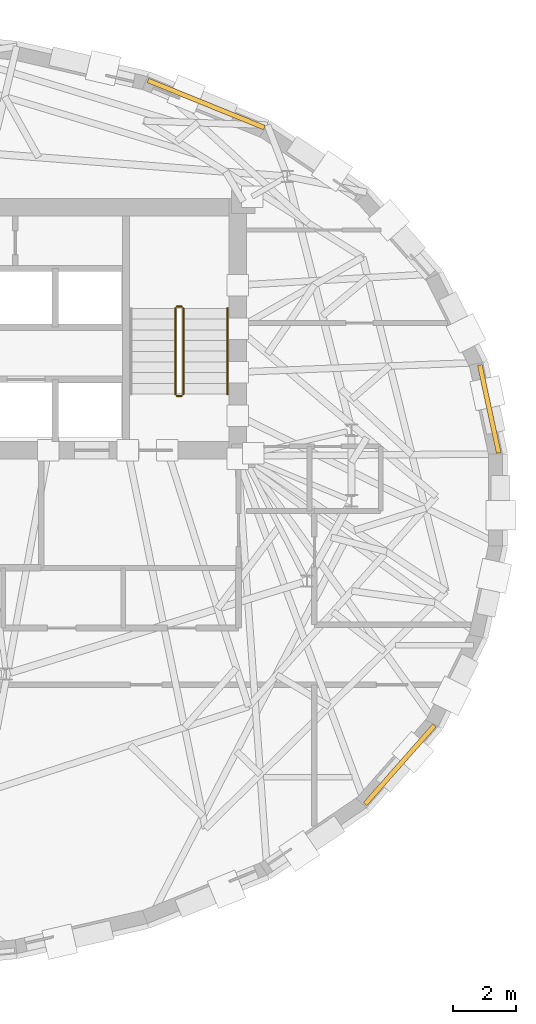
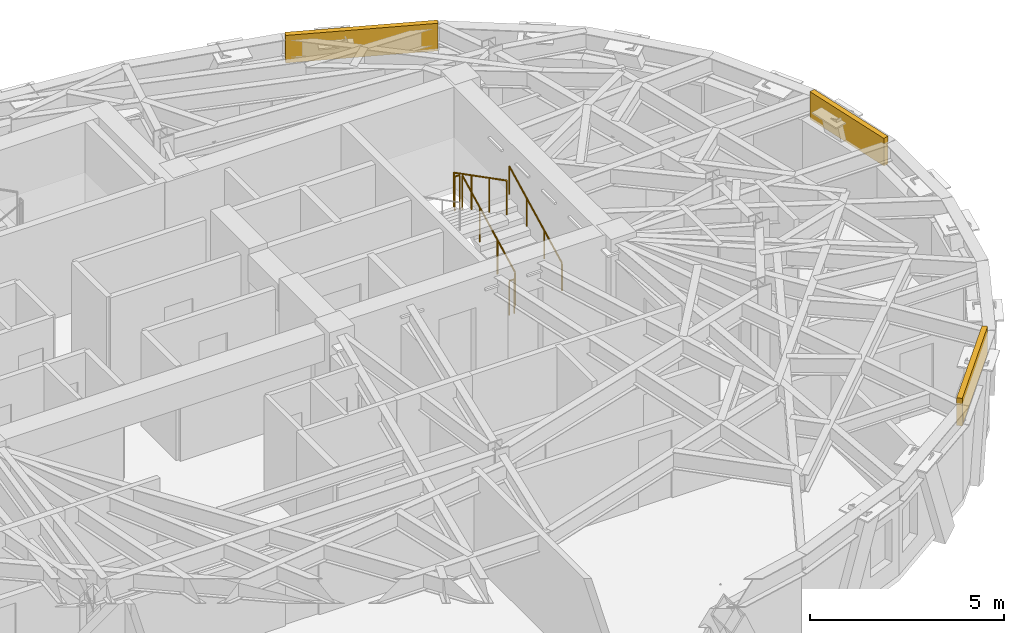
# One storey, part 12 of 12: 5 railings, 3 coverings.
"""IFC4 building model written with IfcOpenShell, lengths in metres."""

import ifcopenshell
import ifcopenshell.guid

model = None  # the IFC model being written
_history = None  # IfcOwnerHistory: only IFC2X3 demands one
_inside = {}  # id of a spatial element -> (the spatial element, [elements in it])
_under = {}  # id of a project, library or spatial element -> (it, [spatial elements below it])
_declared = {}  # id of a project -> (the project, [libraries it declares])
_typed = {}  # id of a type object -> (the type object, [elements of that type])
_made_of = {}  # id of a material, layer set ... -> (it, [elements and type objects made of it])


def new_model(schema):
    """Start an empty IFC model of exactly this schema.

    Asked for "IFC4X3", IfcOpenShell would pick the latest addendum, in which some entities
    have other attributes; the version numbers below select the first issue.
    IFC2X3 requires an IfcOwnerHistory on every rooted entity: one is made here for all.
    """
    global model, _history
    if schema == "IFC4X3":
        model = ifcopenshell.file(schema_version=(4, 3, 0, 0))
    else:
        model = ifcopenshell.file(schema=schema)
    _inside.clear()
    _under.clear()
    _declared.clear()
    _typed.clear()
    _made_of.clear()
    _history = None
    if model.schema == "IFC2X3":
        org = make("IfcOrganization", Name="unknown")
        user = make(
            "IfcPersonAndOrganization",
            ThePerson=make("IfcPerson", FamilyName="unknown"),
            TheOrganization=org,
        )
        app = make(
            "IfcApplication",
            ApplicationDeveloper=org,
            Version="unknown",
            ApplicationFullName="unknown",
            ApplicationIdentifier="unknown",
        )
        _history = make(
            "IfcOwnerHistory",
            OwningUser=user,
            OwningApplication=app,
            ChangeAction="ADDED",
            CreationDate=0,
        )
    return model


def make(cls, **values):
    """One entity of the class cls with the attributes given. An attribute that is None is left unset."""
    return model.create_entity(
        cls, **{name: value for name, value in values.items() if value is not None}
    )


def rooted(cls, **values):
    """An entity with a GlobalId (a new one), such as an element, a storey or a relation."""
    return make(cls, GlobalId=ifcopenshell.guid.new(), OwnerHistory=_history, **values)


def si_unit(unit_type, name, prefix=None):
    """IfcSIUnit, for example si_unit("LENGTHUNIT", "METRE", prefix="MILLI")."""
    return make("IfcSIUnit", UnitType=unit_type, Prefix=prefix, Name=name)


def assignment(units):
    """IfcUnitAssignment: the units of a project."""
    return None if units is None else make("IfcUnitAssignment", Units=units)


def point(xyz):
    """IfcCartesianPoint."""
    return None if xyz is None else make("IfcCartesianPoint", Coordinates=xyz)


def direction(xyz):
    """IfcDirection."""
    return None if xyz is None else make("IfcDirection", DirectionRatios=xyz)


def frame(location, z_axis=None, x_axis=None):
    """IfcAxis2Placement3D, a coordinate frame: its origin and axes. An axis left out is left unset."""
    return make(
        "IfcAxis2Placement3D",
        Location=point(location),
        Axis=direction(z_axis),
        RefDirection=direction(x_axis),
    )


def frame_2d(location, x_axis=None):
    """IfcAxis2Placement2D, a coordinate frame in the plane: its origin and x axis."""
    return make(
        "IfcAxis2Placement2D", Location=point(location), RefDirection=direction(x_axis)
    )


def origin():
    """The frame at (0, 0, 0) with its axes left unset."""
    return frame((0.0, 0.0, 0.0))


def origin_2d():
    """The frame at (0, 0) in the plane with its x axis left unset."""
    return frame_2d((0.0, 0.0))


def place(relative_to, where):
    """IfcLocalPlacement: puts the frame where relative to a parent placement (None: the world)."""
    return make(
        "IfcLocalPlacement", PlacementRelTo=relative_to, RelativePlacement=where
    )


def context(
    kind, dimensions, precision=None, world=None, true_north=None, identifier=None
):
    """IfcGeometricRepresentationContext, for example the 3D "Model" context."""
    return make(
        "IfcGeometricRepresentationContext",
        ContextIdentifier=identifier,
        ContextType=kind,
        CoordinateSpaceDimension=dimensions,
        Precision=precision,
        WorldCoordinateSystem=world,
        TrueNorth=true_north,
    )


def subcontext(parent, identifier, kind, view, scale=None):
    """IfcGeometricRepresentationSubContext, for example "Body" below "Model"."""
    return make(
        "IfcGeometricRepresentationSubContext",
        ContextIdentifier=identifier,
        ContextType=kind,
        ParentContext=parent,
        TargetScale=scale,
        TargetView=view,
    )


def project(units=None, contexts=None):
    """IfcProject with its units and contexts."""
    return rooted(
        "IfcProject",
        Name="project",
        RepresentationContexts=contexts,
        UnitsInContext=assignment(units),
    )


def spatial(cls, under=None, at=None, **own):
    """A site, building, storey or space (cls), placed at a placement, below another one or the project."""
    s = rooted(cls, ObjectPlacement=at, **own)
    if under is not None:
        _under.setdefault(under.id(), (under, []))[1].append(s)
    return s


def profile(cls, at=None, kind="AREA", **sizes):
    """A parametric profile (cls). Its sizes go by their IFC names, for example OverallWidth=200.0."""
    return make(cls, ProfileType=kind, Position=at, **sizes)


def rectangle(**sizes):
    """IfcRectangleProfileDef."""
    return profile("IfcRectangleProfileDef", **sizes)


def circle(**sizes):
    """IfcCircleProfileDef."""
    return profile("IfcCircleProfileDef", **sizes)


def extrude(swept, where, along, depth):
    """IfcExtrudedAreaSolid: the profile swept, set in the frame where, extruded along a direction by depth."""
    return make(
        "IfcExtrudedAreaSolid",
        SweptArea=swept,
        Position=where,
        ExtrudedDirection=direction(along),
        Depth=depth,
    )


def shape(context_of_items, identifier, shape_type, items):
    """IfcShapeRepresentation: the items that make up one representation, for example the "Body"."""
    return make(
        "IfcShapeRepresentation",
        ContextOfItems=context_of_items,
        RepresentationIdentifier=identifier,
        RepresentationType=shape_type,
        Items=items,
    )


def material(Name=None, Category=None):
    """IfcMaterial."""
    return make("IfcMaterial", Name=Name, Category=Category)


def layer(
    of_material, thickness, ventilated=None, Name=None, Category=None, Priority=None
):
    """IfcMaterialLayer: one layer of a wall or slab, of a material (None: an air gap)."""
    return make(
        "IfcMaterialLayer",
        Material=of_material,
        LayerThickness=thickness,
        IsVentilated=ventilated,
        Name=Name,
        Category=Category,
        Priority=Priority,
    )


def layer_set(layers, Name=None):
    """IfcMaterialLayerSet."""
    return make("IfcMaterialLayerSet", MaterialLayers=layers, LayerSetName=Name)


def made_of(thing, what):
    """Note that an element or type object is made of a material, layer set ...; save() writes the relation."""
    if what is not None:
        _made_of.setdefault(what.id(), (what, []))[1].append(thing)
    return thing


def type_object(cls, material=None, **own):
    """A type object (cls), such as IfcWallType, which elements share."""
    return made_of(rooted(cls, **own), material)


def element(
    cls,
    number,
    at=None,
    inside=None,
    cuts=None,
    type_object=None,
    material=None,
    context=None,
    identifier="Body",
    shape_type=None,
    held_by="IfcProductDefinitionShape",
    body=None,
    shapes=None,
    **own,
):
    """One element of the class cls, such as IfcWall. Its Tag is "e" and its number.

    at: its placement. inside: the storey or other place that contains it. cuts: it is an
    opening in that element (IfcRelVoidsElement). A single representation is given by context,
    identifier, shape_type and body (its items); several are given by shapes. held_by: the class
    of the entity that holds the representations. save() writes the other relations.
    """
    e = rooted(cls, Tag="e%d" % number, ObjectPlacement=at, **own)
    if body is not None:
        shapes = [shape(context, identifier, shape_type, body)]
    if shapes is not None:
        e.Representation = make(held_by, Representations=shapes)
    if inside is not None:
        _inside.setdefault(inside.id(), (inside, []))[1].append(e)
    if cuts is not None:
        rooted(
            "IfcRelVoidsElement", RelatingBuildingElement=cuts, RelatedOpeningElement=e
        )
    if type_object is not None:
        _typed.setdefault(type_object.id(), (type_object, []))[1].append(e)
    return made_of(e, material)


def aggregate(whole, parts):
    """IfcRelAggregates: a whole, such as a stair, and the parts it consists of."""
    return rooted("IfcRelAggregates", RelatingObject=whole, RelatedObjects=parts)


def save(model, path):
    """Write the relations noted so far, then the file.

    IfcRelAggregates (storeys below a building ...), IfcRelContainedInSpatialStructure (elements
    in a storey), IfcRelDefinesByType, IfcRelAssociatesMaterial and IfcRelDeclares: one each for
    every whole, place, type object, material and project.
    """
    for whole, parts in _under.values():
        aggregate(whole, parts)
    for where, things in _inside.values():
        rooted(
            "IfcRelContainedInSpatialStructure",
            RelatedElements=things,
            RelatingStructure=where,
        )
    for kind, things in _typed.values():
        rooted("IfcRelDefinesByType", RelatedObjects=things, RelatingType=kind)
    for what, things in _made_of.values():
        rooted("IfcRelAssociatesMaterial", RelatedObjects=things, RelatingMaterial=what)
    for by, libraries in _declared.values():
        rooted("IfcRelDeclares", RelatingContext=by, RelatedDefinitions=libraries)
    model.write(path)


model = new_model("IFC4")

# Units and contexts
model_context = context("Model", 3, precision=1e-05, world=origin(), true_north=direction((0.0, 1.0)))
body_context = subcontext(model_context, "Body", "Model", "MODEL_VIEW")
ifc_project = project(units=[si_unit("LENGTHUNIT", "METRE"), si_unit("AREAUNIT", "SQUARE_METRE"), si_unit("VOLUMEUNIT", "CUBIC_METRE"), si_unit("PLANEANGLEUNIT", "RADIAN"), si_unit("MASSUNIT", "GRAM", prefix="KILO")], contexts=[model_context])

# Site, building, storey
site_placement = place(None, origin())
site = spatial("IfcSite", under=ifc_project, at=site_placement, CompositionType="ELEMENT")
building_placement = place(site_placement, origin())
building = spatial("IfcBuilding", under=site, at=building_placement, Name="Keldmark Tower", CompositionType="ELEMENT")
storey_placement = place(building_placement, frame((0.0, 0.0, 238.35009765625)))
storey = spatial("IfcBuildingStorey", under=building, at=storey_placement, Name="L67", CompositionType="ELEMENT", Elevation=238.35009765625)

# Coverings
ifc_material_1 = material(Name="Honed Kasota Buff Dolomitic Limestone", Category="masonry")
ifc_layer = layer(ifc_material_1, 0.074951171875)
ifc_layer_set = layer_set([ifc_layer], Name="Honed Kasota Buff Dolomitic Limestone")
covering_type = type_object("IfcCoveringType", Name="Kasota Buff Limestone Spandrel Cladding Band", PredefinedType="CLADDING", material=ifc_layer_set)
covering_1_placement = place(storey_placement, frame((21.389404296875, 2.884033203125, 2.259765625), z_axis=(0.0, 0.0, 1.0), x_axis=(-0.210540008659, 0.977585241682, 0.0)))
element("IfcCovering", 1, at=covering_1_placement, inside=storey, type_object=covering_type, Name="L67 Kasota Limestone Spandrel Band 01", PredefinedType="CLADDING", context=body_context, shape_type="SweptSolid", body=[
    extrude(rectangle(XDim=2.847412109375, YDim=0.14990234375, at=origin_2d()), origin(), (0.0, 0.0, 1.0), 0.8701171875),
])
covering_2_placement = place(storey_placement, frame((12.426513671875, 12.53759765625, 2.259765625), z_axis=(0.0, 0.0, 1.0), x_axis=(-0.92672549442, 0.375739082333, 0.0)))
element("IfcCovering", 2, at=covering_2_placement, inside=storey, type_object=covering_type, Name="L67 Kasota Limestone Spandrel Band 05", PredefinedType="CLADDING", context=body_context, shape_type="SweptSolid", body=[
    extrude(rectangle(XDim=3.976318359375, YDim=0.14990234375, at=origin_2d()), origin(), (0.0, 0.0, 1.0), 0.8701171875),
])
covering_3_placement = place(storey_placement, frame((18.557373046875, -8.381591796875, 2.259765625), z_axis=(0.0, 0.0, 1.0), x_axis=(0.661364231344, 0.750064899525, 0.0)))
element("IfcCovering", 3, at=covering_3_placement, inside=storey, type_object=covering_type, Name="L67 Kasota Limestone Spandrel Band 29", PredefinedType="CLADDING", context=body_context, shape_type="SweptSolid", body=[
    extrude(rectangle(XDim=3.31201171875, YDim=0.14990234375, at=origin_2d()), origin(), (0.0, 0.0, 1.0), 0.8701171875),
])

# Railings
ifc_material_2 = material(Name="Painted Steel ASTM A500 Grade B", Category="steel")
railing_type_1 = type_object("IfcRailingType", Name="Painted Steel Stair Well Guard 1100 mm", PredefinedType="GUARDRAIL", material=ifc_material_2)
railing_1_placement = place(storey_placement, frame((11.699951171875, 3.35009765625, 0.1748046875)))
element("IfcRailing", 4, at=railing_1_placement, inside=storey, type_object=railing_type_1, Name="L67 ST2 stair guard 1", PredefinedType="GUARDRAIL", context=body_context, shape_type="SweptSolid", body=[
    extrude(circle(Radius=0.02392578125, at=origin_2d()), frame((0.0, 0.0, 1.076171875), z_axis=(0.0, 0.889114319608, 0.457685182924), x_axis=(-1.0, 0.0, 0.0)), (0.0, 0.0, 1.0), 3.05908203125),
    extrude(circle(Radius=0.02099609375, at=origin_2d()), origin(), (0.0, 0.0, 1.0), 1.052001953125),
    extrude(circle(Radius=0.02099609375, at=origin_2d()), frame((0.0, 0.90673828125, 0.466796875)), (0.0, 0.0, 1.0), 1.052001953125),
    extrude(circle(Radius=0.02099609375, at=origin_2d()), frame((0.0, 1.813232421875, 0.933349609375)), (0.0, 0.0, 1.0), 1.052001953125),
    extrude(circle(Radius=0.02099609375, at=origin_2d()), frame((0.0, 2.719970703125, 1.400146484375)), (0.0, 0.0, 1.0), 1.052001953125),
])
railing_2_placement = place(storey_placement, frame((11.64990234375, 6.1201171875, 1.574951171875)))
element("IfcRailing", 5, at=railing_2_placement, inside=storey, type_object=railing_type_1, Name="L67 ST2 stair guard 2", PredefinedType="GUARDRAIL", context=body_context, shape_type="SweptSolid", body=[
    extrude(circle(Radius=0.02392578125, at=origin_2d()), frame((0.0, 0.0, 1.076171875), z_axis=(-1.0, 0.0, 0.0), x_axis=(0.0, -1.0, 0.0)), (0.0, 0.0, 1.0), 0.14990234375),
    extrude(circle(Radius=0.02099609375, at=origin_2d()), origin(), (0.0, 0.0, 1.0), 1.052001953125),
    extrude(circle(Radius=0.02099609375, at=origin_2d()), frame((-0.14990234375, 0.0, 0.0)), (0.0, 0.0, 1.0), 1.052001953125),
])
railing_3_placement = place(storey_placement, frame((11.449951171875, 6.070068359375, 1.75)))
element("IfcRailing", 6, at=railing_3_placement, inside=storey, type_object=railing_type_1, Name="L67 ST2 stair guard 3", PredefinedType="GUARDRAIL", context=body_context, shape_type="SweptSolid", body=[
    extrude(circle(Radius=0.02392578125, at=origin_2d()), frame((0.0, 0.0, 1.076171875), z_axis=(0.0, -0.889146794209, 0.457622091194), x_axis=(1.0, 0.0, 0.0)), (0.0, 0.0, 1.0), 3.05908203125),
    extrude(circle(Radius=0.02099609375, at=origin_2d()), origin(), (0.0, 0.0, 1.0), 1.052001953125),
    extrude(circle(Radius=0.02099609375, at=origin_2d()), frame((0.0, -0.90673828125, 0.466552734375)), (0.0, 0.0, 1.0), 1.052001953125),
    extrude(circle(Radius=0.02099609375, at=origin_2d()), frame((0.0, -1.813232421875, 0.933349609375)), (0.0, 0.0, 1.0), 1.052001953125),
    extrude(circle(Radius=0.02099609375, at=origin_2d()), frame((0.0, -2.719970703125, 1.39990234375)), (0.0, 0.0, 1.0), 1.052001953125),
])
railing_4_placement = place(storey_placement, frame((11.64990234375, 3.300048828125, 0.0)))
element("IfcRailing", 7, at=railing_4_placement, inside=storey, type_object=railing_type_1, Name="L67 ST2 stair guard 4", PredefinedType="GUARDRAIL", context=body_context, shape_type="SweptSolid", body=[
    extrude(circle(Radius=0.02392578125, at=origin_2d()), frame((0.0, 0.0, 1.076171875), z_axis=(-1.0, 0.0, 0.0), x_axis=(0.0, -1.0, 0.0)), (0.0, 0.0, 1.0), 0.14990234375),
    extrude(circle(Radius=0.02099609375, at=origin_2d()), origin(), (0.0, 0.0, 1.0), 1.052001953125),
    extrude(circle(Radius=0.02099609375, at=origin_2d()), frame((-0.14990234375, 0.0, 0.0)), (0.0, 0.0, 1.0), 1.052001953125),
])
ifc_material_3 = material(Name="Stainless Steel AISI 316L", Category="steel")
railing_type_2 = type_object("IfcRailingType", Name="Stainless Steel Stair Handrail 900 mm", PredefinedType="HANDRAIL", material=ifc_material_3)
railing_5_placement = place(storey_placement, frame((13.10009765625, 3.35009765625, 0.1748046875)))
element("IfcRailing", 8, at=railing_5_placement, inside=storey, type_object=railing_type_2, Name="L67 ST2 stair handrail 1", PredefinedType="HANDRAIL", context=body_context, shape_type="SweptSolid", body=[
    extrude(circle(Radius=0.02392578125, at=origin_2d()), frame((0.0, 0.0, 0.8759765625), z_axis=(0.0, 0.889114319608, 0.457685182924), x_axis=(-1.0, 0.0, 0.0)), (0.0, 0.0, 1.0), 3.05908203125),
    extrude(circle(Radius=0.02099609375, at=origin_2d()), origin(), (0.0, 0.0, 1.0), 0.851806640625),
    extrude(circle(Radius=0.02099609375, at=origin_2d()), frame((0.0, 0.90673828125, 0.466796875)), (0.0, 0.0, 1.0), 0.851806640625),
    extrude(circle(Radius=0.02099609375, at=origin_2d()), frame((0.0, 1.813232421875, 0.933349609375)), (0.0, 0.0, 1.0), 0.851806640625),
    extrude(circle(Radius=0.02099609375, at=origin_2d()), frame((0.0, 2.719970703125, 1.400146484375)), (0.0, 0.0, 1.0), 0.851806640625),
])

save(model, "model.ifc")
